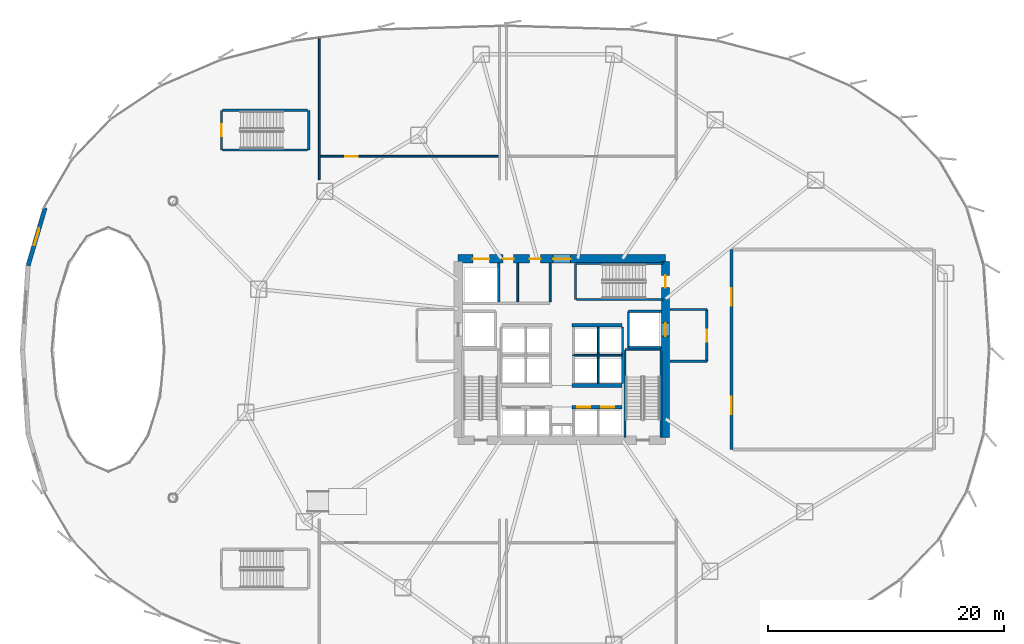
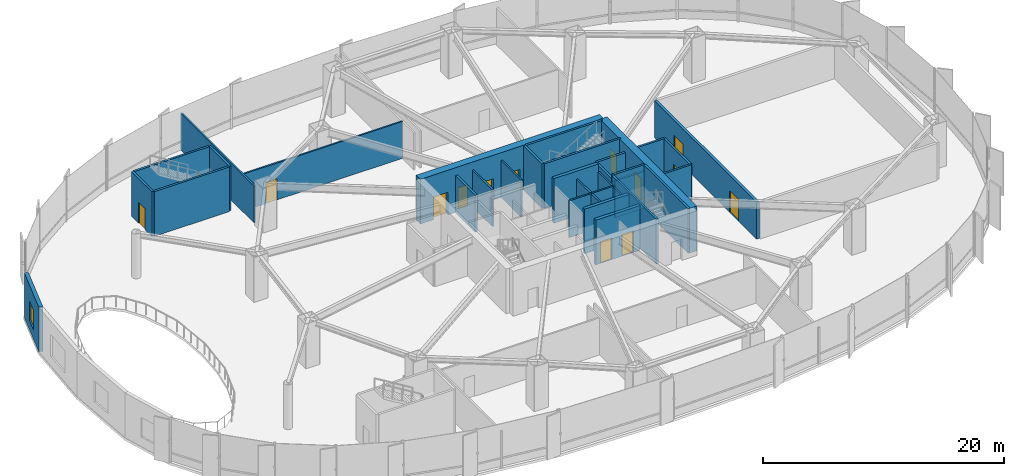
# One storey, part 24 of 33: 33 walls, 13 doors, 1 window, 14 openings.
"""IFC4 building model written with IfcOpenShell, lengths in metres."""

from ifc_helpers import new_model, si_unit, direction, frame, frame_2d, origin, place, context, subcontext, project, spatial, rectangle, extrude, source, transform, mapped, material, layer, layer_set, type_object, element, fill, save


model = new_model("IFC4")

# Units and contexts
model_context = context("Model", 3, precision=1e-05, world=origin(), true_north=direction((0.0, 1.0)))
body_context = subcontext(model_context, "Body", "Model", "MODEL_VIEW")
ifc_project = project(units=[si_unit("LENGTHUNIT", "METRE"), si_unit("AREAUNIT", "SQUARE_METRE"), si_unit("VOLUMEUNIT", "CUBIC_METRE"), si_unit("PLANEANGLEUNIT", "RADIAN"), si_unit("MASSUNIT", "GRAM", prefix="KILO"), si_unit("THERMODYNAMICTEMPERATUREUNIT", "KELVIN")], contexts=[model_context])

# Site, building, storey
site_placement = place(None, origin())
site = spatial("IfcSite", under=ifc_project, at=site_placement, CompositionType="ELEMENT")
building_placement = place(site_placement, origin())
building = spatial("IfcBuilding", under=site, at=building_placement, Name="Kethvar Cultural Tower", CompositionType="ELEMENT")
storey_placement = place(building_placement, frame((0.0, 0.0, 10.0)))
storey = spatial("IfcBuildingStorey", under=building, at=storey_placement, Name="L02", CompositionType="ELEMENT", Elevation=10.0)

# Wall, openings, doors
ifc_material_1 = material(Name="Concrete C60/75", Category="concrete")
ifc_layer_1 = layer(ifc_material_1, 0.699951171875, Name="Concrete C60/75", Category="concrete")
ifc_layer_set_1 = layer_set([ifc_layer_1], Name="Concrete C60/75 (700 mm)")
wall_type_1 = type_object("IfcWallType", Name="WL-CORE-700", PredefinedType="SHEAR", material=ifc_layer_set_1)
wall_1_placement = place(storey_placement, frame((55.60009765625, 35.5, 0.0), z_axis=(0.0, 0.0, 1.0), x_axis=(-1.0, 0.0, 0.0)))
wall_1 = element("IfcWall", 1, at=wall_1_placement, inside=storey, type_object=wall_type_1, Name="L02 Core Shear Wall N", PredefinedType="SHEAR", context=body_context, shape_type="SweptSolid", body=[
    extrude(rectangle(XDim=17.60009765625, YDim=0.699951171875, at=frame_2d((8.800048828125, 0.0))), origin(), (0.0, 0.0, 1.0), 4.530029296875),
])
opening_1_placement = place(wall_1_placement, frame((8.050048828125, 0.0, 0.0)))
opening_1 = element("IfcOpeningElement", 2, at=opening_1_placement, cuts=wall_1, Name="Opening D-L02-LN", PredefinedType="OPENING", context=body_context, shape_type="SweptSolid", body=[
    extrude(rectangle(XDim=1.5, YDim=2.199951171875, at=frame_2d((0.75, 1.10009765625))), frame((0.0, 0.35986328125, 0.0), z_axis=(0.0, -1.0, 0.0), x_axis=(1.0, 0.0, 0.0)), (0.0, 0.0, 1.0), 0.719970703125),
])
opening_2_placement = place(wall_1_placement, frame((14.949951171875, 0.0, 0.0)))
opening_2 = element("IfcOpeningElement", 3, at=opening_2_placement, cuts=wall_1, Name="Opening LD-G1", PredefinedType="OPENING", context=body_context, shape_type="SweptSolid", body=[
    extrude(rectangle(XDim=1.39990234375, YDim=2.300048828125, at=frame_2d((0.699951171875, 1.14990234375))), frame((0.0, 0.35986328125, 0.0), z_axis=(0.0, -1.0, 0.0), x_axis=(1.0, 0.0, 0.0)), (0.0, 0.0, 1.0), 0.719970703125),
])
opening_3_placement = place(wall_1_placement, frame((12.89990234375, 0.0, 0.0)))
opening_3 = element("IfcOpeningElement", 4, at=opening_3_placement, cuts=wall_1, Name="Opening D-L02-W1", PredefinedType="OPENING", context=body_context, shape_type="SweptSolid", body=[
    extrude(rectangle(XDim=0.89990234375, YDim=2.14990234375, at=frame_2d((0.449951171875, 1.074951171875))), frame((0.0, 0.35986328125, 0.0), z_axis=(0.0, -1.0, 0.0), x_axis=(1.0, 0.0, 0.0)), (0.0, 0.0, 1.0), 0.719970703125),
])
opening_4_placement = place(wall_1_placement, frame((10.60009765625, 0.0, 0.0)))
opening_4 = element("IfcOpeningElement", 5, at=opening_4_placement, cuts=wall_1, Name="Opening D-L02-W2", PredefinedType="OPENING", context=body_context, shape_type="SweptSolid", body=[
    extrude(rectangle(XDim=0.949951171875, YDim=2.14990234375, at=frame_2d((0.47509765625, 1.074951171875))), frame((0.0, 0.35986328125, 0.0), z_axis=(0.0, -1.0, 0.0), x_axis=(1.0, 0.0, 0.0)), (0.0, 0.0, 1.0), 0.719970703125),
])
ifc_material_2 = material(Name="Architectural Oak Timber", Category="wood")
door_type_1 = type_object("IfcDoorType", Name="DR-DBL-FD60-1500", OperationType="DOUBLE_DOOR_SINGLE_SWING", PredefinedType="DOOR", material=ifc_material_2)
shared_shape_1 = source(origin(), body_context, "Body", "SweptSolid", [
    extrude(rectangle(XDim=1.5, YDim=2.199951171875, at=frame_2d((0.75, 1.10009765625))), frame((0.0, 0.02490234375, 0.0), z_axis=(0.0, -1.0, 0.0), x_axis=(1.0, 0.0, 0.0)), (0.0, 0.0, 1.0), 0.050048828125),
])
door_1_placement = place(opening_1_placement, origin())
door_1 = element("IfcDoor", 6, at=door_1_placement, inside=storey, type_object=door_type_1, Name="L02 Lift Lobby Concourse Door", OperationType="DOUBLE_DOOR_SINGLE_SWING", OverallHeight=2.199951171875, OverallWidth=1.5, PredefinedType="DOOR", context=body_context, shape_type="MappedRepresentation", body=[
    mapped(shared_shape_1, transform((0.0, 0.0, 0.0), scale=1.0)),
])
fill(opening_1, door_1)
ifc_material_3 = material(Name="Steel S355J2", Category="steel")
door_type_2 = type_object("IfcDoorType", Name="DR-LIFT-SLIDE-1400", OperationType="NOTDEFINED", PredefinedType="DOOR", material=ifc_material_3)
shared_shape_2 = source(origin(), body_context, "Body", "SweptSolid", [
    extrude(rectangle(XDim=1.39990234375, YDim=2.300048828125, at=frame_2d((0.699951171875, 1.14990234375))), frame((0.0, 0.02490234375, 0.0), z_axis=(0.0, -1.0, 0.0), x_axis=(1.0, 0.0, 0.0)), (0.0, 0.0, 1.0), 0.050048828125),
])
door_2_placement = place(opening_2_placement, origin())
door_2 = element("IfcDoor", 7, at=door_2_placement, inside=storey, type_object=door_type_2, Name="L02 Goods Lift Landing Door", OperationType="SLIDING_TO_RIGHT", OverallHeight=2.300048828125, OverallWidth=1.39990234375, PredefinedType="DOOR", context=body_context, shape_type="MappedRepresentation", body=[
    mapped(shared_shape_2, transform((0.0, 0.0, 0.0), scale=1.0)),
])
fill(opening_2, door_2)
door_type_3 = type_object("IfcDoorType", Name="DR-FD30-950", OperationType="NOTDEFINED", PredefinedType="DOOR", material=ifc_material_2)
shared_shape_3 = source(origin(), body_context, "Body", "SweptSolid", [
    extrude(rectangle(XDim=0.949951171875, YDim=2.14990234375, at=frame_2d((0.47509765625, 1.074951171875))), frame((0.0, 0.02490234375, 0.0), z_axis=(0.0, -1.0, 0.0), x_axis=(1.0, 0.0, 0.0)), (0.0, 0.0, 1.0), 0.050048828125),
])
door_3_placement = place(opening_4_placement, origin())
door_3 = element("IfcDoor", 8, at=door_3_placement, inside=storey, type_object=door_type_3, Name="L02 Public Washroom Door", OperationType="SINGLE_SWING_RIGHT", OverallHeight=2.14990234375, OverallWidth=0.949951171875, PredefinedType="DOOR", context=body_context, shape_type="MappedRepresentation", body=[
    mapped(shared_shape_3, transform((0.0, 0.0, 0.0), scale=1.0)),
])
fill(opening_4, door_3)
door_type_4 = type_object("IfcDoorType", Name="DR-FD30-900", OperationType="NOTDEFINED", PredefinedType="DOOR", material=ifc_material_2)
shared_shape_4 = source(origin(), body_context, "Body", "SweptSolid", [
    extrude(rectangle(XDim=0.89990234375, YDim=2.14990234375, at=frame_2d((0.449951171875, 1.074951171875))), frame((0.0, 0.02490234375, 0.0), z_axis=(0.0, -1.0, 0.0), x_axis=(1.0, 0.0, 0.0)), (0.0, 0.0, 1.0), 0.050048828125),
])
door_4_placement = place(opening_3_placement, origin())
door_4 = element("IfcDoor", 9, at=door_4_placement, inside=storey, type_object=door_type_4, Name="L02 Accessible Washroom Door", OperationType="SINGLE_SWING_LEFT", OverallHeight=2.14990234375, OverallWidth=0.89990234375, PredefinedType="DOOR", context=body_context, shape_type="MappedRepresentation", body=[
    mapped(shared_shape_4, transform((0.0, 0.0, 0.0), scale=1.0)),
])
fill(opening_3, door_4)

wall_2_placement = place(storey_placement, frame((55.60009765625, 20.340087890625, 0.0), z_axis=(0.0, 0.0, 1.0), x_axis=(0.0, 1.0, 0.0)))
wall_2 = element("IfcWall", 10, at=wall_2_placement, inside=storey, type_object=wall_type_1, Name="L02 Core Shear Wall E", PredefinedType="SHEAR", context=body_context, shape_type="SweptSolid", body=[
    extrude(rectangle(XDim=14.919921875, YDim=0.699951171875, at=frame_2d((7.4599609375, 0.0))), origin(), (0.0, 0.0, 1.0), 4.530029296875),
])
opening_5_placement = place(wall_2_placement, frame((12.7099609375, 0.0, 0.0)))
opening_5 = element("IfcOpeningElement", 11, at=opening_5_placement, cuts=wall_2, Name="Opening D-L02-S3", PredefinedType="OPENING", context=body_context, shape_type="SweptSolid", body=[
    extrude(rectangle(XDim=1.050048828125, YDim=2.14990234375, at=frame_2d((0.52490234375, 1.074951171875))), frame((0.0, 0.35986328125, 0.0), z_axis=(0.0, -1.0, 0.0), x_axis=(1.0, 0.0, 0.0)), (0.0, 0.0, 1.0), 0.719970703125),
])
opening_6_placement = place(wall_2_placement, frame((8.610107421875, 0.0, 0.0)))
opening_6 = element("IfcOpeningElement", 12, at=opening_6_placement, cuts=wall_2, Name="Opening LD-2", PredefinedType="OPENING", context=body_context, shape_type="SweptSolid", body=[
    extrude(rectangle(XDim=1.10009765625, YDim=2.199951171875, at=frame_2d((0.550048828125, 1.10009765625))), frame((0.0, 0.35986328125, 0.0), z_axis=(0.0, -1.0, 0.0), x_axis=(1.0, 0.0, 0.0)), (0.0, 0.0, 1.0), 0.719970703125),
])
door_type_5 = type_object("IfcDoorType", Name="DR-FD60-1050", OperationType="NOTDEFINED", PredefinedType="DOOR", material=ifc_material_3)
shared_shape_5 = source(origin(), body_context, "Body", "SweptSolid", [
    extrude(rectangle(XDim=1.050048828125, YDim=2.14990234375, at=frame_2d((0.52490234375, 1.074951171875))), frame((0.0, 0.02490234375, 0.0), z_axis=(0.0, -1.0, 0.0), x_axis=(1.0, 0.0, 0.0)), (0.0, 0.0, 1.0), 0.050048828125),
])
door_5_placement = place(opening_5_placement, origin())
door_5 = element("IfcDoor", 13, at=door_5_placement, inside=storey, type_object=door_type_5, Name="L02 Exit Stair 3 Door", OperationType="SINGLE_SWING_LEFT", OverallHeight=2.14990234375, OverallWidth=1.050048828125, PredefinedType="DOOR", context=body_context, shape_type="MappedRepresentation", body=[
    mapped(shared_shape_5, transform((0.0, 0.0, 0.0), scale=1.0)),
])
fill(opening_5, door_5)
door_type_6 = type_object("IfcDoorType", Name="DR-LIFT-SLIDE-1100", OperationType="NOTDEFINED", PredefinedType="DOOR", material=ifc_material_3)
shared_shape_6 = source(origin(), body_context, "Body", "SweptSolid", [
    extrude(rectangle(XDim=1.10009765625, YDim=2.199951171875, at=frame_2d((0.550048828125, 1.10009765625))), frame((0.0, 0.02490234375, 0.0), z_axis=(0.0, -1.0, 0.0), x_axis=(1.0, 0.0, 0.0)), (0.0, 0.0, 1.0), 0.050048828125),
])
door_6_placement = place(opening_6_placement, origin())
door_6 = element("IfcDoor", 14, at=door_6_placement, inside=storey, type_object=door_type_6, Name="L02 Firefighting Lift Landing Door FFL-02", OperationType="SLIDING_TO_RIGHT", OverallHeight=2.199951171875, OverallWidth=1.10009765625, PredefinedType="DOOR", context=body_context, shape_type="MappedRepresentation", body=[
    mapped(shared_shape_6, transform((0.0, 0.0, 0.0), scale=1.0)),
])
fill(opening_6, door_6)

# Wall, opening, window
ifc_material_4 = material(Name="Concrete C40/50", Category="concrete")
ifc_layer_2 = layer(ifc_material_4, 0.35009765625, Name="Concrete C40/50", Category="concrete")
ifc_layer_set_2 = layer_set([ifc_layer_2], Name="Concrete C40/50 (350 mm)")
wall_type_2 = type_object("IfcWallType", Name="WL-EXT-PORTAL-350", PredefinedType="SOLIDWALL", material=ifc_layer_set_2)
wall_3_placement = place(storey_placement, frame((1.493408203125, 34.91650390625, 0.0), z_axis=(0.0, 0.0, 1.0), x_axis=(0.281735210535, 0.959492194416, 0.0)))
wall_3 = element("IfcWall", 15, at=wall_3_placement, inside=storey, type_object=wall_type_2, Name="L02 Exterior Portal Wall 17", PredefinedType="SOLIDWALL", context=body_context, shape_type="SweptSolid", body=[
    extrude(rectangle(XDim=5.12060546875, YDim=0.35009765625, at=frame_2d((2.560302734375, 0.0))), origin(), (0.0, 0.0, 1.0), 4.530029296875),
])
opening_7_placement = place(wall_3_placement, frame((1.810302734375, 0.0, 0.949951171875)))
opening_7 = element("IfcOpeningElement", 16, at=opening_7_placement, cuts=wall_3, Name="Opening W-03", PredefinedType="OPENING", context=body_context, shape_type="SweptSolid", body=[
    extrude(rectangle(XDim=1.5, YDim=2.0, at=frame_2d((0.75, 1.0))), frame((0.0, 0.18505859375, 0.0), z_axis=(0.0, -1.0, 0.0), x_axis=(1.0, 0.0, 0.0)), (0.0, 0.0, 1.0), 0.3701171875),
])
ifc_material_5 = material(Name="Insulated Low-E Solar Glass", Category="glass")
window_type = type_object("IfcWindowType", Name="WN-POD-1500", PartitioningType="SINGLE_PANEL", PredefinedType="WINDOW", material=ifc_material_5)
shared_shape_7 = source(origin(), body_context, "Body", "SweptSolid", [
    extrude(rectangle(XDim=1.5, YDim=2.0, at=frame_2d((0.75, 1.0))), frame((0.0, 0.030029296875, 0.0), z_axis=(0.0, -1.0, 0.0), x_axis=(1.0, 0.0, 0.0)), (0.0, 0.0, 1.0), 0.06005859375),
])
window_placement = place(opening_7_placement, origin())
window = element("IfcWindow", 17, at=window_placement, inside=storey, type_object=window_type, Name="L02 Podium Window C16", OverallHeight=2.0, OverallWidth=1.5, PartitioningType="SINGLE_PANEL", PredefinedType="WINDOW", context=body_context, shape_type="MappedRepresentation", body=[
    mapped(shared_shape_7, transform((0.0, 0.0, 0.0), scale=1.0)),
])
fill(opening_7, window)

# Walls
ifc_material_6 = material(Name="Gypsum Fireboard Partition")
ifc_layer_3 = layer(ifc_material_6, 0.14990234375, Name="Gypsum Fireboard Partition")
ifc_layer_set_3 = layer_set([ifc_layer_3], Name="Gypsum Fireboard Partition (150 mm)")
wall_type_3 = type_object("IfcWallType", Name="WL-FIRE-150", PredefinedType="PARTITIONING", material=ifc_layer_set_3)
wall_4_placement = place(storey_placement, frame((47.699951171875, 27.324951171875, 0.0), z_axis=(0.0, 0.0, 1.0), x_axis=(1.0, 0.0, 0.0)))
element("IfcWall", 18, at=wall_4_placement, inside=storey, type_object=wall_type_3, Name="L02 Mid-High Lift Shaft Back Wall E", PredefinedType="PARTITIONING", context=body_context, shape_type="SweptSolid", body=[
    extrude(rectangle(XDim=4.320068359375, YDim=0.14990234375, at=frame_2d((2.16015625, 0.0))), origin(), (0.0, 0.0, 1.0), 3.742919921875),
])
for number, where, z_axis, x_axis, name in (
    (19, (49.875, 24.919921875, 0.0), (0.0, 0.0, 1.0), (0.0, 1.0, 0.0), "L02 Mid-Rise Lift Shaft Divider E"),
    (20, (51.949951171875, 24.919921875, 0.0), (0.0, 0.0, 1.0), (0.0, 1.0, 0.0), "L02 Mid-Rise Lift Shaft Outer Wall E"),
):
    element("IfcWall", number, at=place(storey_placement, frame(where, z_axis=z_axis, x_axis=x_axis)), inside=storey, type_object=wall_type_3, Name=name, PredefinedType="PARTITIONING", context=body_context, shape_type="SweptSolid", body=[
        extrude(rectangle(XDim=2.320068359375, YDim=0.14990234375, at=frame_2d((1.16015625, 0.0))), origin(), (0.0, 0.0, 1.0), 3.742919921875),
    ])
for number, where, z_axis, x_axis, name in (
    (21, (49.875, 27.409912109375, 0.0), (0.0, 0.0, 1.0), (0.0, 1.0, 0.0), "L02 High-Rise Lift Shaft Divider E"),
    (22, (51.949951171875, 27.409912109375, 0.0), (0.0, 0.0, 1.0), (0.0, 1.0, 0.0), "L02 High-Rise Lift Shaft Outer Wall E"),
):
    element("IfcWall", number, at=place(storey_placement, frame(where, z_axis=z_axis, x_axis=x_axis)), inside=storey, type_object=wall_type_3, Name=name, PredefinedType="PARTITIONING", context=body_context, shape_type="SweptSolid", body=[
        extrude(rectangle(XDim=2.27001953125, YDim=0.14990234375, at=frame_2d((1.135009765625, 0.0))), origin(), (0.0, 0.0, 1.0), 3.742919921875),
    ])
wall_5_placement = place(storey_placement, frame((45.800048828125, 31.85009765625, 0.0), z_axis=(0.0, 0.0, 1.0), x_axis=(0.0, 1.0, 0.0)))
element("IfcWall", 23, at=wall_5_placement, inside=storey, type_object=wall_type_3, Name="L02 Sanitary Spine Wall", PredefinedType="PARTITIONING", context=body_context, shape_type="SweptSolid", body=[
    extrude(rectangle(XDim=3.289794921875, YDim=0.14990234375, at=frame_2d((1.64501953125, 0.0))), origin(), (0.0, 0.0, 1.0), 3.742919921875),
])

# Wall, opening, door
wall_6_placement = place(storey_placement, frame((26.199951171875, 44.199951171875, 0.0), z_axis=(0.0, 0.0, 1.0), x_axis=(1.0, 0.0, 0.0)))
wall_6 = element("IfcWall", 24, at=wall_6_placement, inside=storey, type_object=wall_type_3, Name="L02 Backstage Performer Lounge Wall", PredefinedType="PARTITIONING", context=body_context, shape_type="SweptSolid", body=[
    extrude(rectangle(XDim=15.300048828125, YDim=0.14990234375, at=frame_2d((7.64990234375, 0.0))), origin(), (0.0, 0.0, 1.0), 3.742919921875),
])
opening_8_placement = place(wall_6_placement, frame((2.199951171875, 0.0, 0.0)))
opening_8 = element("IfcOpeningElement", 25, at=opening_8_placement, cuts=wall_6, Name="Opening D-L02-P3", PredefinedType="OPENING", context=body_context, shape_type="SweptSolid", body=[
    extrude(rectangle(XDim=1.050048828125, YDim=2.14990234375, at=frame_2d((0.52490234375, 1.074951171875))), frame((0.0, 0.0849609375, 0.0), z_axis=(0.0, -1.0, 0.0), x_axis=(1.0, 0.0, 0.0)), (0.0, 0.0, 1.0), 0.169921875),
])
door_7_placement = place(opening_8_placement, origin())
door_7 = element("IfcDoor", 26, at=door_7_placement, inside=storey, type_object=door_type_5, Name="L02 Backstage Performer Lounge Door", OperationType="SINGLE_SWING_LEFT", OverallHeight=2.14990234375, OverallWidth=1.050048828125, PredefinedType="DOOR", context=body_context, shape_type="MappedRepresentation", body=[
    mapped(shared_shape_5, transform((0.0, 0.0, 0.0), scale=1.0)),
])
fill(opening_8, door_7)

# Walls
ifc_layer_4 = layer(ifc_material_4, 0.199951171875, Name="Concrete C40/50", Category="concrete")
ifc_layer_set_4 = layer_set([ifc_layer_4], Name="Concrete C40/50 (200 mm)")
wall_type_4 = type_object("IfcWallType", Name="WL-FIRE-200", PredefinedType="PARTITIONING", material=ifc_layer_set_4)
wall_7_placement = place(storey_placement, frame((52.449951171875, 27.949951171875, 0.0), z_axis=(0.0, 0.0, 1.0), x_axis=(0.0, 1.0, 0.0)))
element("IfcWall", 27, at=wall_7_placement, inside=storey, type_object=wall_type_4, Name="L02 FFL-02 Shaft Inner Wall", PredefinedType="PARTITIONING", context=body_context, shape_type="SweptSolid", body=[
    extrude(rectangle(XDim=3.10009765625, YDim=0.199951171875, at=frame_2d((1.550048828125, 0.0))), origin(), (0.0, 0.0, 1.0), 3.742919921875),
])
for number, where, z_axis, x_axis, name in (
    (28, (52.449951171875, 27.949951171875, 0.0), (0.0, 0.0, 1.0), (1.0, 0.0, 0.0), "L02 FFL-02 Shaft South Wall"),
    (29, (52.449951171875, 31.050048828125, 0.0), (0.0, 0.0, 1.0), (1.0, 0.0, 0.0), "L02 FFL-02 Shaft North Wall"),
):
    element("IfcWall", number, at=place(storey_placement, frame(where, z_axis=z_axis, x_axis=x_axis)), inside=storey, type_object=wall_type_4, Name=name, PredefinedType="PARTITIONING", context=body_context, shape_type="SweptSolid", body=[
        extrude(rectangle(XDim=2.7900390625, YDim=0.199951171875, at=frame_2d((1.39501953125, 0.0))), origin(), (0.0, 0.0, 1.0), 3.742919921875),
    ])

# Wall, opening, door
wall_8_placement = place(storey_placement, frame((59.10009765625, 26.800048828125, 0.0), z_axis=(0.0, 0.0, 1.0), x_axis=(0.0, 1.0, 0.0)))
wall_8 = element("IfcWall", 30, at=wall_8_placement, inside=storey, type_object=wall_type_4, Name="L02 Firefighting Lobby 2 Wall", PredefinedType="PARTITIONING", context=body_context, shape_type="SweptSolid", body=[
    extrude(rectangle(XDim=4.39990234375, YDim=0.199951171875, at=frame_2d((2.199951171875, 0.0))), origin(), (0.0, 0.0, 1.0), 3.742919921875),
])
opening_9_placement = place(wall_8_placement, frame((1.64990234375, 0.0, 0.0)))
opening_9 = element("IfcOpeningElement", 31, at=opening_9_placement, cuts=wall_8, Name="Opening D-L02-F2", PredefinedType="OPENING", context=body_context, shape_type="SweptSolid", body=[
    extrude(rectangle(XDim=1.050048828125, YDim=2.14990234375, at=frame_2d((0.52490234375, 1.074951171875))), frame((0.0, 0.10986328125, 0.0), z_axis=(0.0, -1.0, 0.0), x_axis=(1.0, 0.0, 0.0)), (0.0, 0.0, 1.0), 0.219970703125),
])
door_8_placement = place(opening_9_placement, origin())
door_8 = element("IfcDoor", 32, at=door_8_placement, inside=storey, type_object=door_type_5, Name="L02 Firefighting Lobby 2 Fire Door", OperationType="SINGLE_SWING_LEFT", OverallHeight=2.14990234375, OverallWidth=1.050048828125, PredefinedType="DOOR", context=body_context, shape_type="MappedRepresentation", body=[
    mapped(shared_shape_5, transform((0.0, 0.0, 0.0), scale=1.0)),
])
fill(opening_9, door_8)

# Walls
for number, where, z_axis, x_axis, name in (
    (33, (55.9599609375, 26.800048828125, 0.0), (0.0, 0.0, 1.0), (1.0, 0.0, 0.0), "L02 FF Lobby 2 South Wall"),
    (34, (55.9599609375, 31.199951171875, 0.0), (0.0, 0.0, 1.0), (1.0, 0.0, 0.0), "L02 FF Lobby 2 North Wall"),
):
    element("IfcWall", number, at=place(storey_placement, frame(where, z_axis=z_axis, x_axis=x_axis)), inside=storey, type_object=wall_type_4, Name=name, PredefinedType="PARTITIONING", context=body_context, shape_type="SweptSolid", body=[
        extrude(rectangle(XDim=3.14013671875, YDim=0.199951171875, at=frame_2d((1.570068359375, 0.0))), origin(), (0.0, 0.0, 1.0), 3.742919921875),
    ])
wall_9_placement = place(storey_placement, frame((41.449951171875, 31.85009765625, 0.0), z_axis=(0.0, 0.0, 1.0), x_axis=(0.0, 1.0, 0.0)))
element("IfcWall", 35, at=wall_9_placement, inside=storey, type_object=wall_type_4, Name="L02 NW Core Pocket Wall", PredefinedType="PARTITIONING", context=body_context, shape_type="SweptSolid", body=[
    extrude(rectangle(XDim=3.289794921875, YDim=0.199951171875, at=frame_2d((1.64501953125, 0.0))), origin(), (0.0, 0.0, 1.0), 3.742919921875),
])
ifc_material_7 = material(Name="Gypsum Acoustic Partition")
ifc_layer_5 = layer(ifc_material_7, 0.14990234375, Name="Gypsum Acoustic Partition")
ifc_layer_set_5 = layer_set([ifc_layer_5], Name="Gypsum Acoustic Partition (150 mm)")
wall_type_5 = type_object("IfcWallType", Name="WL-PART-150", PredefinedType="PARTITIONING", material=ifc_layer_set_5)
wall_10_placement = place(storey_placement, frame((26.199951171875, 42.199951171875, 0.0), z_axis=(0.0, 0.0, 1.0), x_axis=(0.0, 1.0, 0.0)))
element("IfcWall", 36, at=wall_10_placement, inside=storey, type_object=wall_type_5, Name="L02 Backstage Performer Lounge Side Wall L", PredefinedType="PARTITIONING", context=body_context, shape_type="SweptSolid", body=[
    extrude(rectangle(XDim=12.20703125, YDim=0.14990234375, at=frame_2d((6.103515625, 0.0))), origin(), (0.0, 0.0, 1.0), 3.742919921875),
])
ifc_material_8 = material(Name="Moisture-Resistant Sanitary Chase Wall")
ifc_layer_6 = layer(ifc_material_8, 0.14990234375, Name="Moisture-Resistant Sanitary Chase Wall")
ifc_layer_set_6 = layer_set([ifc_layer_6], Name="Moisture-Resistant Sanitary Chase Wall (150 mm)")
wall_type_6 = type_object("IfcWallType", Name="WL-PLUMB-150", PredefinedType="PLUMBINGWALL", material=ifc_layer_set_6)
wall_11_placement = place(storey_placement, frame((43.050048828125, 31.85009765625, 0.0), z_axis=(0.0, 0.0, 1.0), x_axis=(0.0, 1.0, 0.0)))
element("IfcWall", 37, at=wall_11_placement, inside=storey, type_object=wall_type_6, Name="L02 Sanitary Plumbing Wall", PredefinedType="PLUMBINGWALL", context=body_context, shape_type="SweptSolid", body=[
    extrude(rectangle(XDim=3.289794921875, YDim=0.14990234375, at=frame_2d((1.64501953125, 0.0))), origin(), (0.0, 0.0, 1.0), 3.742919921875),
])

# Wall, openings, doors
ifc_material_9 = material(Name="Concrete C50/60", Category="concrete")
ifc_layer_7 = layer(ifc_material_9, 0.300048828125, Name="Concrete C50/60", Category="concrete")
ifc_layer_set_7 = layer_set([ifc_layer_7], Name="Concrete C50/60 (300 mm)")
wall_type_7 = type_object("IfcWallType", Name="WL-SHAFT-300", PredefinedType="SHEAR", material=ifc_layer_set_7)
wall_12_placement = place(storey_placement, frame((47.64990234375, 22.89990234375, 0.0), z_axis=(0.0, 0.0, 1.0), x_axis=(1.0, 0.0, 0.0)))
wall_12 = element("IfcWall", 38, at=wall_12_placement, inside=storey, type_object=wall_type_7, Name="L02 Core Lift Spine Wall MID1E", PredefinedType="SHEAR", context=body_context, shape_type="SweptSolid", body=[
    extrude(rectangle(XDim=4.25, YDim=0.300048828125, at=frame_2d((2.125, 0.0))), origin(), (0.0, 0.0, 1.0), 4.530029296875),
])
opening_10_placement = place(wall_12_placement, frame((0.449951171875, 0.0, 0.0)))
opening_10 = element("IfcOpeningElement", 39, at=opening_10_placement, cuts=wall_12, Name="Opening LD-L3", PredefinedType="OPENING", context=body_context, shape_type="SweptSolid", body=[
    extrude(rectangle(XDim=1.10009765625, YDim=2.199951171875, at=frame_2d((0.550048828125, 1.10009765625))), frame((0.0, 0.159912109375, 0.0), z_axis=(0.0, -1.0, 0.0), x_axis=(1.0, 0.0, 0.0)), (0.0, 0.0, 1.0), 0.320068359375),
])
opening_11_placement = place(wall_12_placement, frame((2.5, 0.0, 0.0)))
opening_11 = element("IfcOpeningElement", 40, at=opening_11_placement, cuts=wall_12, Name="Opening LD-L4", PredefinedType="OPENING", context=body_context, shape_type="SweptSolid", body=[
    extrude(rectangle(XDim=1.10009765625, YDim=2.199951171875, at=frame_2d((0.550048828125, 1.10009765625))), frame((0.0, 0.159912109375, 0.0), z_axis=(0.0, -1.0, 0.0), x_axis=(1.0, 0.0, 0.0)), (0.0, 0.0, 1.0), 0.320068359375),
])
door_9_placement = place(opening_10_placement, origin())
door_9 = element("IfcDoor", 41, at=door_9_placement, inside=storey, type_object=door_type_6, Name="L02 Low-Rise Lift Landing Door L3", OperationType="SLIDING_TO_LEFT", OverallHeight=2.199951171875, OverallWidth=1.10009765625, PredefinedType="DOOR", context=body_context, shape_type="MappedRepresentation", body=[
    mapped(shared_shape_6, transform((0.0, 0.0, 0.0), scale=1.0)),
])
fill(opening_10, door_9)
door_10_placement = place(opening_11_placement, origin())
door_10 = element("IfcDoor", 42, at=door_10_placement, inside=storey, type_object=door_type_6, Name="L02 Low-Rise Lift Landing Door L4", OperationType="SLIDING_TO_LEFT", OverallHeight=2.199951171875, OverallWidth=1.10009765625, PredefinedType="DOOR", context=body_context, shape_type="MappedRepresentation", body=[
    mapped(shared_shape_6, transform((0.0, 0.0, 0.0), scale=1.0)),
])
fill(opening_11, door_10)

# Walls
for number, where, z_axis, x_axis, name in (
    (43, (47.64990234375, 24.75, 0.0), (0.0, 0.0, 1.0), (1.0, 0.0, 0.0), "L02 Core Lift Spine Wall MID2E"),
    (44, (47.64990234375, 29.85009765625, 0.0), (0.0, 0.0, 1.0), (1.0, 0.0, 0.0), "L02 Core Lift Spine Wall MID3E"),
):
    element("IfcWall", number, at=place(storey_placement, frame(where, z_axis=z_axis, x_axis=x_axis)), inside=storey, type_object=wall_type_7, Name=name, PredefinedType="SHEAR", context=body_context, shape_type="SweptSolid", body=[
        extrude(rectangle(XDim=4.25, YDim=0.300048828125, at=frame_2d((2.125, 0.0))), origin(), (0.0, 0.0, 1.0), 4.530029296875),
    ])

# Wall, openings, doors
ifc_layer_8 = layer(ifc_material_4, 0.25, Name="Concrete C40/50", Category="concrete")
ifc_layer_set_8 = layer_set([ifc_layer_8], Name="Concrete C40/50 (250 mm)")
wall_type_8 = type_object("IfcWallType", Name="WL-SOLID-250", PredefinedType="SOLIDWALL", material=ifc_layer_set_8)
wall_13_placement = place(storey_placement, frame((61.199951171875, 19.300048828125, 0.0), z_axis=(0.0, 0.0, 1.0), x_axis=(0.0, 1.0, 0.0)))
wall_13 = element("IfcWall", 45, at=wall_13_placement, inside=storey, type_object=wall_type_8, Name="L02 Auditorium West Wall", PredefinedType="SOLIDWALL", context=body_context, shape_type="SweptSolid", body=[
    extrude(rectangle(XDim=17.0, YDim=0.25, at=frame_2d((8.5, 0.0))), origin(), (0.0, 0.0, 1.0), 3.742919921875),
])
opening_12_placement = place(wall_13_placement, frame((3.0, 0.0, 0.0)))
opening_12 = element("IfcOpeningElement", 46, at=opening_12_placement, cuts=wall_13, Name="Opening D-L02-A1", PredefinedType="OPENING", context=body_context, shape_type="SweptSolid", body=[
    extrude(rectangle(XDim=1.5, YDim=2.199951171875, at=frame_2d((0.75, 1.10009765625))), frame((0.0, 0.135009765625, 0.0), z_axis=(0.0, -1.0, 0.0), x_axis=(1.0, 0.0, 0.0)), (0.0, 0.0, 1.0), 0.27001953125),
])
opening_13_placement = place(wall_13_placement, frame((12.199951171875, 0.0, 0.0)))
opening_13 = element("IfcOpeningElement", 47, at=opening_13_placement, cuts=wall_13, Name="Opening D-L02-A2", PredefinedType="OPENING", context=body_context, shape_type="SweptSolid", body=[
    extrude(rectangle(XDim=1.5, YDim=2.199951171875, at=frame_2d((0.75, 1.10009765625))), frame((0.0, 0.135009765625, 0.0), z_axis=(0.0, -1.0, 0.0), x_axis=(1.0, 0.0, 0.0)), (0.0, 0.0, 1.0), 0.27001953125),
])
door_11_placement = place(opening_12_placement, origin())
door_11 = element("IfcDoor", 48, at=door_11_placement, inside=storey, type_object=door_type_1, Name="L02 Auditorium South Entry Door", OperationType="DOUBLE_DOOR_SINGLE_SWING", OverallHeight=2.199951171875, OverallWidth=1.5, PredefinedType="DOOR", context=body_context, shape_type="MappedRepresentation", body=[
    mapped(shared_shape_1, transform((0.0, 0.0, 0.0), scale=1.0)),
])
fill(opening_12, door_11)
door_12_placement = place(opening_13_placement, origin())
door_12 = element("IfcDoor", 49, at=door_12_placement, inside=storey, type_object=door_type_1, Name="L02 Auditorium North Entry Door", OperationType="DOUBLE_DOOR_SINGLE_SWING", OverallHeight=2.199951171875, OverallWidth=1.5, PredefinedType="DOOR", context=body_context, shape_type="MappedRepresentation", body=[
    mapped(shared_shape_1, transform((0.0, 0.0, 0.0), scale=1.0)),
])
fill(opening_13, door_12)

# Walls
ifc_layer_9 = layer(ifc_material_9, 0.199951171875, Name="Concrete C50/60", Category="concrete")
ifc_layer_set_9 = layer_set([ifc_layer_9], Name="Concrete C50/60 (200 mm)")
wall_type_9 = type_object("IfcWallType", Name="WL-STSHAFT-200", PredefinedType="SHEAR", material=ifc_layer_set_9)
wall_14_placement = place(storey_placement, frame((52.14990234375, 27.800048828125, 0.0), z_axis=(0.0, 0.0, 1.0), x_axis=(1.0, 0.0, 0.0)))
element("IfcWall", 50, at=wall_14_placement, inside=storey, type_object=wall_type_9, Name="L02 ST-02 Stair Shaft Wall FAR", PredefinedType="SHEAR", context=body_context, shape_type="SweptSolid", body=[
    extrude(rectangle(XDim=3.06005859375, YDim=0.199951171875, at=frame_2d((1.530029296875, 0.0))), origin(), (0.0, 0.0, 1.0), 4.530029296875),
])
for number, where, z_axis, x_axis, name in (
    (51, (55.2099609375, 27.699951171875, 0.0), (0.0, 0.0, 1.0), (0.0, -1.0, 0.0), "L02 ST-02 Stair Shaft Wall LEFT"),
    (52, (52.14990234375, 20.35009765625, 0.0), (0.0, 0.0, 1.0), (0.0, 1.0, 0.0), "L02 ST-02 Stair Shaft Wall RIGHT"),
):
    element("IfcWall", number, at=place(storey_placement, frame(where, z_axis=z_axis, x_axis=x_axis)), inside=storey, type_object=wall_type_9, Name=name, PredefinedType="SHEAR", context=body_context, shape_type="SweptSolid", body=[
        extrude(rectangle(XDim=7.349853515625, YDim=0.199951171875, at=frame_2d((3.6748046875, 0.0))), origin(), (0.0, 0.0, 1.0), 4.530029296875),
    ])
wall_15_placement = place(storey_placement, frame((47.949951171875, 32.050048828125, 0.0), z_axis=(0.0, 0.0, 1.0), x_axis=(0.0, 1.0, 0.0)))
element("IfcWall", 53, at=wall_15_placement, inside=storey, type_object=wall_type_9, Name="L02 ST-03 Stair Shaft Wall FAR", PredefinedType="SHEAR", context=body_context, shape_type="SweptSolid", body=[
    extrude(rectangle(XDim=3.06005859375, YDim=0.199951171875, at=frame_2d((1.530029296875, 0.0))), origin(), (0.0, 0.0, 1.0), 4.530029296875),
])
for number, where, z_axis, x_axis, name in (
    (54, (48.050048828125, 35.110107421875, 0.0), (0.0, 0.0, 1.0), (1.0, 0.0, 0.0), "L02 ST-03 Stair Shaft Wall LEFT"),
    (55, (55.39990234375, 32.050048828125, 0.0), (0.0, 0.0, 1.0), (-1.0, 0.0, 0.0), "L02 ST-03 Stair Shaft Wall RIGHT"),
):
    element("IfcWall", number, at=place(storey_placement, frame(where, z_axis=z_axis, x_axis=x_axis)), inside=storey, type_object=wall_type_9, Name=name, PredefinedType="SHEAR", context=body_context, shape_type="SweptSolid", body=[
        extrude(rectangle(XDim=7.349853515625, YDim=0.199951171875, at=frame_2d((3.6748046875, 0.0))), origin(), (0.0, 0.0, 1.0), 4.530029296875),
    ])

# Wall, opening, door
wall_16_placement = place(storey_placement, frame((17.89990234375, 44.739990234375, 0.0), z_axis=(0.0, 0.0, 1.0), x_axis=(0.0, 1.0, 0.0)))
wall_16 = element("IfcWall", 56, at=wall_16_placement, inside=storey, type_object=wall_type_9, Name="L02 ST-05 Stair Shaft Wall NEAR", PredefinedType="SHEAR", context=body_context, shape_type="SweptSolid", body=[
    extrude(rectangle(XDim=3.360107421875, YDim=0.199951171875, at=frame_2d((1.68017578125, 0.0))), origin(), (0.0, 0.0, 1.0), 4.530029296875),
])
opening_14_placement = place(wall_16_placement, frame((1.155029296875, 0.0, 0.0)))
opening_14 = element("IfcOpeningElement", 57, at=opening_14_placement, cuts=wall_16, Name="Opening D-L02-ST5", PredefinedType="OPENING", context=body_context, shape_type="SweptSolid", body=[
    extrude(rectangle(XDim=1.050048828125, YDim=2.14990234375, at=frame_2d((0.52490234375, 1.074951171875))), frame((0.0, 0.10986328125, 0.0), z_axis=(0.0, -1.0, 0.0), x_axis=(1.0, 0.0, 0.0)), (0.0, 0.0, 1.0), 0.219970703125),
])
door_13_placement = place(opening_14_placement, origin())
door_13 = element("IfcDoor", 58, at=door_13_placement, inside=storey, type_object=door_type_5, Name="L02 ST-05 Stair Landing Fire Door", OperationType="SINGLE_SWING_LEFT", OverallHeight=2.14990234375, OverallWidth=1.050048828125, PredefinedType="DOOR", context=body_context, shape_type="MappedRepresentation", body=[
    mapped(shared_shape_5, transform((0.0, 0.0, 0.0), scale=1.0)),
])
fill(opening_14, door_13)

# Walls
wall_17_placement = place(storey_placement, frame((25.300048828125, 48.10009765625, 0.0), z_axis=(0.0, 0.0, 1.0), x_axis=(0.0, -1.0, 0.0)))
element("IfcWall", 59, at=wall_17_placement, inside=storey, type_object=wall_type_9, Name="L02 ST-05 Stair Shaft Wall FAR", PredefinedType="SHEAR", context=body_context, shape_type="SweptSolid", body=[
    extrude(rectangle(XDim=3.360107421875, YDim=0.199951171875, at=frame_2d((1.68017578125, 0.0))), origin(), (0.0, 0.0, 1.0), 4.530029296875),
])
for number, where, z_axis, x_axis, name in (
    (60, (25.199951171875, 44.739990234375, 0.0), (0.0, 0.0, 1.0), (-1.0, 0.0, 0.0), "L02 ST-05 Stair Shaft Wall LEFT"),
    (61, (18.0, 48.10009765625, 0.0), (0.0, 0.0, 1.0), (1.0, 0.0, 0.0), "L02 ST-05 Stair Shaft Wall RIGHT"),
):
    element("IfcWall", number, at=place(storey_placement, frame(where, z_axis=z_axis, x_axis=x_axis)), inside=storey, type_object=wall_type_9, Name=name, PredefinedType="SHEAR", context=body_context, shape_type="SweptSolid", body=[
        extrude(rectangle(XDim=7.199951171875, YDim=0.199951171875, at=frame_2d((3.60009765625, 0.0))), origin(), (0.0, 0.0, 1.0), 4.530029296875),
    ])

save(model, "model.ifc")
